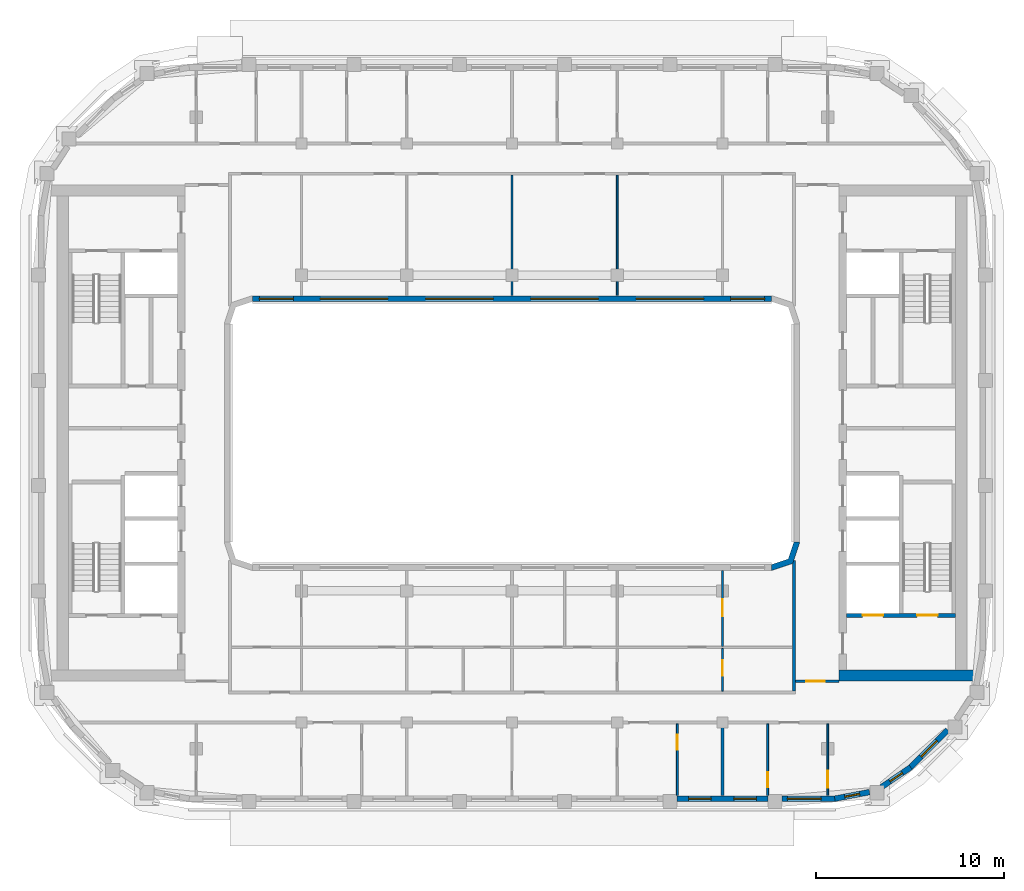
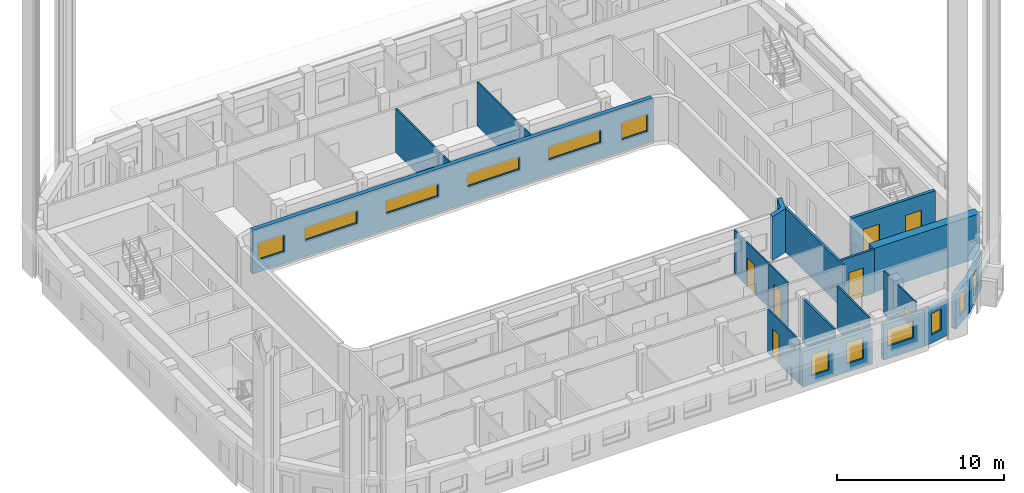
# One storey, part 5 of 15: 19 walls, 12 windows, 8 doors, 20 openings.
"""IFC4 building model written with IfcOpenShell, lengths in metres."""

from ifc_helpers import new_model, si_unit, direction, frame, frame_2d, origin, place, context, subcontext, project, spatial, polyline, rectangle, outline, extrude, material, layer, layer_set, type_object, element, fill, save


model = new_model("IFC4")

# Units and contexts
model_context = context("Model", 3, precision=1e-05, world=origin(), true_north=direction((0.0, 1.0)))
body_context = subcontext(model_context, "Body", "Model", "MODEL_VIEW")
ifc_project = project(units=[si_unit("LENGTHUNIT", "METRE"), si_unit("AREAUNIT", "SQUARE_METRE"), si_unit("VOLUMEUNIT", "CUBIC_METRE"), si_unit("PLANEANGLEUNIT", "RADIAN"), si_unit("MASSUNIT", "GRAM", prefix="KILO")], contexts=[model_context])

# Site, building, storey
site_placement = place(None, origin())
site = spatial("IfcSite", under=ifc_project, at=site_placement, CompositionType="ELEMENT")
building_placement = place(site_placement, origin())
building = spatial("IfcBuilding", under=site, at=building_placement, Name="Kiln Ring Residences", CompositionType="ELEMENT")
storey_placement = place(building_placement, frame((0.0, 0.0, 266.199951171875)))
storey = spatial("IfcBuildingStorey", under=building, at=storey_placement, Name="L69", CompositionType="ELEMENT", Elevation=266.199951171875)

# Wall, openings, doors
ifc_material_1 = material(Name="Concrete C40/50", Category="concrete")
ifc_layer_1 = layer(ifc_material_1, 0.199951171875)
ifc_layer_set_1 = layer_set([ifc_layer_1], Name="CORE-WALL-RC200")
wall_type_1 = type_object("IfcWallType", Name="CORE-WALL-RC200", PredefinedType="SHEAR", material=ifc_layer_set_1)
wall_1_placement = place(storey_placement, frame((17.800048828125, -9.699951171875, 0.0), z_axis=(0.0, 0.0, 1.0), x_axis=(1.0, 0.0, 0.0)))
wall_1 = element("IfcWall", 1, at=wall_1_placement, inside=storey, type_object=wall_type_1, Name="Core wall east L69 8", PredefinedType="SHEAR", context=body_context, shape_type="SweptSolid", body=[
    extrude(rectangle(XDim=5.800048828125, YDim=0.199951171875, at=frame_2d((2.89990234375, 0.0))), origin(), (0.0, 0.0, 1.0), 3.199951171875),
])
opening_1_placement = place(wall_1_placement, frame((0.85009765625, 0.0, 0.0)))
opening_1 = element("IfcOpeningElement", 2, at=opening_1_placement, cuts=wall_1, Name="Opening L69-CE01", PredefinedType="OPENING", context=body_context, shape_type="SweptSolid", body=[
    extrude(rectangle(XDim=1.10009765625, YDim=2.10009765625, at=frame_2d((0.550048828125, 1.050048828125))), frame((0.0, 0.10986328125, 0.0), z_axis=(0.0, -1.0, 0.0), x_axis=(1.0, 0.0, 0.0)), (0.0, 0.0, 1.0), 0.219970703125),
])
opening_2_placement = place(wall_1_placement, frame((3.75, 0.0, 0.0)))
opening_2 = element("IfcOpeningElement", 3, at=opening_2_placement, cuts=wall_1, Name="Opening L69-CE11", PredefinedType="OPENING", context=body_context, shape_type="SweptSolid", body=[
    extrude(rectangle(XDim=1.10009765625, YDim=2.10009765625, at=frame_2d((0.550048828125, 1.050048828125))), frame((0.0, 0.10986328125, 0.0), z_axis=(0.0, -1.0, 0.0), x_axis=(1.0, 0.0, 0.0)), (0.0, 0.0, 1.0), 0.219970703125),
])
ifc_material_2 = material(Name="Steel door leaf", Category="steel")
door_type_1 = type_object("IfcDoorType", Name="CORE-DOOR-LD", OperationType="DOUBLE_DOOR_SLIDING", PredefinedType="DOOR", material=ifc_material_2)
door_1_placement = place(opening_1_placement, origin())
door_1 = element("IfcDoor", 4, at=door_1_placement, inside=storey, type_object=door_type_1, Name="LD E-SV L69-CE01", OperationType="DOUBLE_DOOR_SLIDING", OverallHeight=2.10009765625, OverallWidth=1.10009765625, PredefinedType="DOOR", context=body_context, shape_type="SweptSolid", body=[
    extrude(rectangle(XDim=1.10009765625, YDim=2.10009765625, at=frame_2d((0.550048828125, 1.050048828125))), frame((0.0, 0.02490234375, 0.0), z_axis=(0.0, -1.0, 0.0), x_axis=(1.0, 0.0, 0.0)), (0.0, 0.0, 1.0), 0.050048828125),
])
fill(opening_1, door_1)
ifc_material_3 = material(Name="Steel door leaf", Category="steel")
door_type_2 = type_object("IfcDoorType", Name="CORE-DOOR-STAIR", OperationType="SINGLE_SWING_LEFT", PredefinedType="DOOR", material=ifc_material_3)
door_2_placement = place(opening_2_placement, origin())
door_2 = element("IfcDoor", 5, at=door_2_placement, inside=storey, type_object=door_type_2, Name="Stair E-STS L69-CE11", OperationType="SINGLE_SWING_LEFT", OverallHeight=2.10009765625, OverallWidth=1.10009765625, PredefinedType="DOOR", context=body_context, shape_type="SweptSolid", body=[
    extrude(rectangle(XDim=1.10009765625, YDim=2.10009765625, at=frame_2d((0.550048828125, 1.050048828125))), frame((0.0, 0.02490234375, 0.0), z_axis=(0.0, -1.0, 0.0), x_axis=(1.0, 0.0, 0.0)), (0.0, 0.0, 1.0), 0.050048828125),
])
fill(opening_2, door_2)

# Wall
ifc_material_4 = material(Name="Concrete C60/75", Category="concrete")
ifc_layer_2 = layer(ifc_material_4, 0.60009765625)
ifc_layer_set_2 = layer_set([ifc_layer_2], Name="CORE-WALL-RC600")
wall_type_2 = type_object("IfcWallType", Name="CORE-WALL-RC600", PredefinedType="SHEAR", material=ifc_layer_set_2)
wall_2_placement = place(storey_placement, frame((17.39990234375, -12.89990234375, 0.0), z_axis=(0.0, 0.0, 1.0), x_axis=(1.0, 0.0, 0.0)))
element("IfcWall", 6, at=wall_2_placement, inside=storey, type_object=wall_type_2, Name="Core wall east L69 5", PredefinedType="SHEAR", context=body_context, shape_type="SweptSolid", body=[
    extrude(rectangle(XDim=7.320068359375, YDim=0.60009765625, at=frame_2d((3.66015625, 0.0))), origin(), (0.0, 0.0, 1.0), 3.199951171875),
])

# Wall, openings, windows
ifc_material_5 = material(Name="Brick masonry, dark clay brick", Category="masonry")
ifc_layer_3 = layer(ifc_material_5, 0.300048828125)
ifc_layer_set_3 = layer_set([ifc_layer_3], Name="EW-300 BRICK WALL")
wall_type_3 = type_object("IfcWallType", Name="EW-300 BRICK WALL", PredefinedType="SOLIDWALL", material=ifc_layer_set_3)
wall_3_placement = place(storey_placement, frame((8.77490234375, -19.449951171875, 0.0), z_axis=(0.0, 0.0, 1.0), x_axis=(1.0, 0.0, 0.0)))
wall_3 = element("IfcWall", 7, at=wall_3_placement, inside=storey, type_object=wall_type_3, Name="Facade wall L69 9", PredefinedType="SOLIDWALL", context=body_context, shape_type="SweptSolid", body=[
    extrude(rectangle(XDim=4.85009765625, YDim=0.300048828125, at=frame_2d((2.425048828125, 0.0))), origin(), (0.0, 0.0, 1.0), 2.550048828125),
])
opening_3_placement = place(wall_3_placement, frame((0.625, 0.0, 0.60009765625)))
opening_3 = element("IfcOpeningElement", 8, at=opening_3_placement, cuts=wall_3, Name="Opening W1", PredefinedType="OPENING", context=body_context, shape_type="SweptSolid", body=[
    extrude(rectangle(XDim=1.199951171875, YDim=1.550048828125, at=frame_2d((0.60009765625, 0.77490234375))), frame((0.0, 0.159912109375, 0.0), z_axis=(0.0, -1.0, 0.0), x_axis=(1.0, 0.0, 0.0)), (0.0, 0.0, 1.0), 0.320068359375),
])
opening_4_placement = place(wall_3_placement, frame((3.02490234375, 0.0, 0.60009765625)))
opening_4 = element("IfcOpeningElement", 9, at=opening_4_placement, cuts=wall_3, Name="Opening W1", PredefinedType="OPENING", context=body_context, shape_type="SweptSolid", body=[
    extrude(rectangle(XDim=1.199951171875, YDim=1.550048828125, at=frame_2d((0.60009765625, 0.77490234375))), frame((0.0, 0.159912109375, 0.0), z_axis=(0.0, -1.0, 0.0), x_axis=(1.0, 0.0, 0.0)), (0.0, 0.0, 1.0), 0.320068359375),
])
ifc_material_6 = material(Name="Aluminium frame with double glazing", Category="aluminium")
window_type_1 = type_object("IfcWindowType", Name="WINDOW 1200 x 1550", PartitioningType="SINGLE_PANEL", PredefinedType="WINDOW", material=ifc_material_6)
window_1_placement = place(opening_3_placement, origin())
window_1 = element("IfcWindow", 10, at=window_1_placement, inside=storey, type_object=window_type_1, Name="Window L69 12", OverallHeight=1.550048828125, OverallWidth=1.199951171875, PartitioningType="SINGLE_PANEL", PredefinedType="WINDOW", context=body_context, shape_type="SweptSolid", body=[
    extrude(rectangle(XDim=1.199951171875, YDim=1.550048828125, at=frame_2d((0.60009765625, 0.77490234375))), frame((0.0, 0.030029296875, 0.0), z_axis=(0.0, -1.0, 0.0), x_axis=(1.0, 0.0, 0.0)), (0.0, 0.0, 1.0), 0.06005859375),
])
fill(opening_3, window_1)
window_2_placement = place(opening_4_placement, origin())
window_2 = element("IfcWindow", 11, at=window_2_placement, inside=storey, type_object=window_type_1, Name="Window L69 13", OverallHeight=1.550048828125, OverallWidth=1.199951171875, PartitioningType="SINGLE_PANEL", PredefinedType="WINDOW", context=body_context, shape_type="SweptSolid", body=[
    extrude(rectangle(XDim=1.199951171875, YDim=1.550048828125, at=frame_2d((0.60009765625, 0.77490234375))), frame((0.0, 0.030029296875, 0.0), z_axis=(0.0, -1.0, 0.0), x_axis=(1.0, 0.0, 0.0)), (0.0, 0.0, 1.0), 0.06005859375),
])
fill(opening_4, window_2)

# Wall, opening, window
wall_4_placement = place(storey_placement, frame((14.375, -19.449951171875, 0.0), z_axis=(0.0, 0.0, 1.0), x_axis=(1.0, 0.0, 0.0)))
wall_4 = element("IfcWall", 12, at=wall_4_placement, inside=storey, type_object=wall_type_3, Name="Facade wall L69 10", PredefinedType="SOLIDWALL", context=body_context, shape_type="SweptSolid", body=[
    extrude(rectangle(XDim=2.824951171875, YDim=0.300048828125, at=frame_2d((1.41259765625, 0.0))), origin(), (0.0, 0.0, 1.0), 2.550048828125),
])
opening_5_placement = place(wall_4_placement, frame((0.27490234375, 0.0, 0.89990234375)))
opening_5 = element("IfcOpeningElement", 13, at=opening_5_placement, cuts=wall_4, Name="Opening W2", PredefinedType="OPENING", context=body_context, shape_type="SweptSolid", body=[
    extrude(rectangle(XDim=1.800048828125, YDim=1.25, at=frame_2d((0.89990234375, 0.625))), frame((0.0, 0.159912109375, 0.0), z_axis=(0.0, -1.0, 0.0), x_axis=(1.0, 0.0, 0.0)), (0.0, 0.0, 1.0), 0.320068359375),
])
ifc_material_7 = material(Name="Aluminium frame with double glazing", Category="aluminium")
window_type_2 = type_object("IfcWindowType", Name="WINDOW 1800 x 1250", PartitioningType="SINGLE_PANEL", PredefinedType="WINDOW", material=ifc_material_7)
window_3_placement = place(opening_5_placement, origin())
window_3 = element("IfcWindow", 14, at=window_3_placement, inside=storey, type_object=window_type_2, Name="Window L69 14", OverallHeight=1.25, OverallWidth=1.800048828125, PartitioningType="SINGLE_PANEL", PredefinedType="WINDOW", context=body_context, shape_type="SweptSolid", body=[
    extrude(rectangle(XDim=1.800048828125, YDim=1.25, at=frame_2d((0.89990234375, 0.625))), frame((0.0, 0.030029296875, 0.0), z_axis=(0.0, -1.0, 0.0), x_axis=(1.0, 0.0, 0.0)), (0.0, 0.0, 1.0), 0.06005859375),
])
fill(opening_5, window_3)

wall_5_placement = place(storey_placement, frame((17.171875, -19.45263671875, 0.0), z_axis=(0.0, 0.0, 1.0), x_axis=(0.982284001233, 0.187398348234, 0.0)))
wall_5 = element("IfcWall", 15, at=wall_5_placement, inside=storey, type_object=wall_type_3, Name="Facade wall L69 11", PredefinedType="SOLIDWALL", context=body_context, shape_type="SweptSolid", body=[
    extrude(rectangle(XDim=1.88134765625, YDim=0.300048828125, at=frame_2d((0.940673828125, 0.0))), origin(), (0.0, 0.0, 1.0), 2.550048828125),
])
opening_6_placement = place(wall_5_placement, frame((0.54052734375, 0.0, 0.60009765625)))
opening_6 = element("IfcOpeningElement", 16, at=opening_6_placement, cuts=wall_5, Name="Opening W5", PredefinedType="OPENING", context=body_context, shape_type="SweptSolid", body=[
    extrude(rectangle(XDim=0.800048828125, YDim=1.550048828125, at=frame_2d((0.39990234375, 0.77490234375))), frame((0.0, 0.159912109375, 0.0), z_axis=(0.0, -1.0, 0.0), x_axis=(1.0, 0.0, 0.0)), (0.0, 0.0, 1.0), 0.320068359375),
])
ifc_material_8 = material(Name="Aluminium frame with double glazing", Category="aluminium")
window_type_3 = type_object("IfcWindowType", Name="WINDOW 800 x 1550", PartitioningType="SINGLE_PANEL", PredefinedType="WINDOW", material=ifc_material_8)
window_4_placement = place(opening_6_placement, origin())
window_4 = element("IfcWindow", 17, at=window_4_placement, inside=storey, type_object=window_type_3, Name="Window L69 15", OverallHeight=1.550048828125, OverallWidth=0.800048828125, PartitioningType="SINGLE_PANEL", PredefinedType="WINDOW", context=body_context, shape_type="SweptSolid", body=[
    extrude(rectangle(XDim=0.800048828125, YDim=1.550048828125, at=frame_2d((0.39990234375, 0.77490234375))), frame((0.0, 0.030029296875, 0.0), z_axis=(0.0, -1.0, 0.0), x_axis=(1.0, 0.0, 0.0)), (0.0, 0.0, 1.0), 0.06005859375),
])
fill(opening_6, window_4)

wall_6_placement = place(storey_placement, frame((19.656982421875, -18.836181640625, 0.0), z_axis=(0.0, 0.0, 1.0), x_axis=(0.82704477487, 0.562136051469, 0.0)))
wall_6 = element("IfcWall", 18, at=wall_6_placement, inside=storey, type_object=wall_type_3, Name="Facade wall L69 12", PredefinedType="SOLIDWALL", context=body_context, shape_type="SweptSolid", body=[
    extrude(rectangle(XDim=1.881103515625, YDim=0.300048828125, at=frame_2d((0.9404296875, 0.0))), origin(), (0.0, 0.0, 1.0), 2.550048828125),
])
opening_7_placement = place(wall_6_placement, frame((0.54052734375, 0.0, 0.60009765625)))
opening_7 = element("IfcOpeningElement", 19, at=opening_7_placement, cuts=wall_6, Name="Opening W5", PredefinedType="OPENING", context=body_context, shape_type="SweptSolid", body=[
    extrude(rectangle(XDim=0.800048828125, YDim=1.550048828125, at=frame_2d((0.39990234375, 0.77490234375))), frame((0.0, 0.159912109375, 0.0), z_axis=(0.0, -1.0, 0.0), x_axis=(1.0, 0.0, 0.0)), (0.0, 0.0, 1.0), 0.320068359375),
])
window_5_placement = place(opening_7_placement, origin())
window_5 = element("IfcWindow", 20, at=window_5_placement, inside=storey, type_object=window_type_3, Name="Window L69 16", OverallHeight=1.550048828125, OverallWidth=0.800048828125, PartitioningType="SINGLE_PANEL", PredefinedType="WINDOW", context=body_context, shape_type="SweptSolid", body=[
    extrude(rectangle(XDim=0.800048828125, YDim=1.550048828125, at=frame_2d((0.39990234375, 0.77490234375))), frame((0.0, 0.030029296875, 0.0), z_axis=(0.0, -1.0, 0.0), x_axis=(1.0, 0.0, 0.0)), (0.0, 0.0, 1.0), 0.06005859375),
])
fill(opening_7, window_5)

wall_7_placement = place(storey_placement, frame((21.19091796875, -17.796875, 0.0), z_axis=(0.0, 0.0, 1.0), x_axis=(0.707106781187, 0.707106781187, 0.0)))
wall_7 = element("IfcWall", 21, at=wall_7_placement, inside=storey, type_object=wall_type_3, Name="Facade wall L69 13", PredefinedType="SOLIDWALL", context=body_context, shape_type="SweptSolid", body=[
    extrude(rectangle(XDim=2.824951171875, YDim=0.300048828125, at=frame_2d((1.41259765625, 0.0))), origin(), (0.0, 0.0, 1.0), 2.550048828125),
])
opening_8_placement = place(wall_7_placement, frame((0.8125, 0.0, 0.60009765625)))
opening_8 = element("IfcOpeningElement", 22, at=opening_8_placement, cuts=wall_7, Name="Opening W1", PredefinedType="OPENING", context=body_context, shape_type="SweptSolid", body=[
    extrude(rectangle(XDim=1.199951171875, YDim=1.550048828125, at=frame_2d((0.60009765625, 0.77490234375))), frame((0.0, 0.159912109375, 0.0), z_axis=(0.0, -1.0, 0.0), x_axis=(1.0, 0.0, 0.0)), (0.0, 0.0, 1.0), 0.320068359375),
])
window_6_placement = place(opening_8_placement, origin())
window_6 = element("IfcWindow", 23, at=window_6_placement, inside=storey, type_object=window_type_1, Name="Window L69 17", OverallHeight=1.550048828125, OverallWidth=1.199951171875, PartitioningType="SINGLE_PANEL", PredefinedType="WINDOW", context=body_context, shape_type="SweptSolid", body=[
    extrude(rectangle(XDim=1.199951171875, YDim=1.550048828125, at=frame_2d((0.60009765625, 0.77490234375))), frame((0.0, 0.030029296875, 0.0), z_axis=(0.0, -1.0, 0.0), x_axis=(1.0, 0.0, 0.0)), (0.0, 0.0, 1.0), 0.06005859375),
])
fill(opening_8, window_6)

# Wall, openings, windows
wall_8_placement = place(storey_placement, frame((-13.800048828125, 7.14990234375, 0.0), z_axis=(0.0, 0.0, 1.0), x_axis=(1.0, 0.0, 0.0)))
wall_8 = element("IfcWall", 24, at=wall_8_placement, inside=storey, type_object=wall_type_3, Name="Facade wall L69 46", PredefinedType="SOLIDWALL", context=body_context, shape_type="SweptSolid", body=[
    extrude(rectangle(XDim=27.60009765625, YDim=0.300048828125, at=frame_2d((13.800048828125, 0.0))), origin(), (0.0, 0.0, 1.0), 3.199951171875),
])
opening_9_placement = place(wall_8_placement, frame((0.362548828125, 0.0, 0.89990234375)))
opening_9 = element("IfcOpeningElement", 25, at=opening_9_placement, cuts=wall_8, Name="Opening W2", PredefinedType="OPENING", context=body_context, shape_type="SweptSolid", body=[
    extrude(rectangle(XDim=1.800048828125, YDim=1.25, at=frame_2d((0.89990234375, 0.625))), frame((0.0, 0.159912109375, 0.0), z_axis=(0.0, -1.0, 0.0), x_axis=(1.0, 0.0, 0.0)), (0.0, 0.0, 1.0), 0.320068359375),
])
opening_10_placement = place(wall_8_placement, frame((3.60009765625, 0.0, 1.199951171875)))
opening_10 = element("IfcOpeningElement", 26, at=opening_10_placement, cuts=wall_8, Name="Opening W4", PredefinedType="OPENING", context=body_context, shape_type="SweptSolid", body=[
    extrude(rectangle(XDim=3.60009765625, YDim=0.949951171875, at=frame_2d((1.800048828125, 0.47509765625))), frame((0.0, 0.159912109375, 0.0), z_axis=(0.0, -1.0, 0.0), x_axis=(1.0, 0.0, 0.0)), (0.0, 0.0, 1.0), 0.320068359375),
])
opening_11_placement = place(wall_8_placement, frame((9.199951171875, 0.0, 1.199951171875)))
opening_11 = element("IfcOpeningElement", 27, at=opening_11_placement, cuts=wall_8, Name="Opening W4", PredefinedType="OPENING", context=body_context, shape_type="SweptSolid", body=[
    extrude(rectangle(XDim=3.60009765625, YDim=0.949951171875, at=frame_2d((1.800048828125, 0.47509765625))), frame((0.0, 0.159912109375, 0.0), z_axis=(0.0, -1.0, 0.0), x_axis=(1.0, 0.0, 0.0)), (0.0, 0.0, 1.0), 0.320068359375),
])
opening_12_placement = place(wall_8_placement, frame((14.800048828125, 0.0, 1.199951171875)))
opening_12 = element("IfcOpeningElement", 28, at=opening_12_placement, cuts=wall_8, Name="Opening W4", PredefinedType="OPENING", context=body_context, shape_type="SweptSolid", body=[
    extrude(rectangle(XDim=3.60009765625, YDim=0.949951171875, at=frame_2d((1.800048828125, 0.47509765625))), frame((0.0, 0.159912109375, 0.0), z_axis=(0.0, -1.0, 0.0), x_axis=(1.0, 0.0, 0.0)), (0.0, 0.0, 1.0), 0.320068359375),
])
opening_13_placement = place(wall_8_placement, frame((20.39990234375, 0.0, 1.199951171875)))
opening_13 = element("IfcOpeningElement", 29, at=opening_13_placement, cuts=wall_8, Name="Opening W4", PredefinedType="OPENING", context=body_context, shape_type="SweptSolid", body=[
    extrude(rectangle(XDim=3.60009765625, YDim=0.949951171875, at=frame_2d((1.800048828125, 0.47509765625))), frame((0.0, 0.159912109375, 0.0), z_axis=(0.0, -1.0, 0.0), x_axis=(1.0, 0.0, 0.0)), (0.0, 0.0, 1.0), 0.320068359375),
])
opening_14_placement = place(wall_8_placement, frame((25.4375, 0.0, 0.89990234375)))
opening_14 = element("IfcOpeningElement", 30, at=opening_14_placement, cuts=wall_8, Name="Opening W2", PredefinedType="OPENING", context=body_context, shape_type="SweptSolid", body=[
    extrude(rectangle(XDim=1.800048828125, YDim=1.25, at=frame_2d((0.89990234375, 0.625))), frame((0.0, 0.159912109375, 0.0), z_axis=(0.0, -1.0, 0.0), x_axis=(1.0, 0.0, 0.0)), (0.0, 0.0, 1.0), 0.320068359375),
])
window_7_placement = place(opening_9_placement, origin())
window_7 = element("IfcWindow", 31, at=window_7_placement, inside=storey, type_object=window_type_2, Name="Window L69 37", OverallHeight=1.25, OverallWidth=1.800048828125, PartitioningType="SINGLE_PANEL", PredefinedType="WINDOW", context=body_context, shape_type="SweptSolid", body=[
    extrude(rectangle(XDim=1.800048828125, YDim=1.25, at=frame_2d((0.89990234375, 0.625))), frame((0.0, 0.030029296875, 0.0), z_axis=(0.0, -1.0, 0.0), x_axis=(1.0, 0.0, 0.0)), (0.0, 0.0, 1.0), 0.06005859375),
])
fill(opening_9, window_7)
window_8_placement = place(opening_14_placement, origin())
window_8 = element("IfcWindow", 32, at=window_8_placement, inside=storey, type_object=window_type_2, Name="Window L69 42", OverallHeight=1.25, OverallWidth=1.800048828125, PartitioningType="SINGLE_PANEL", PredefinedType="WINDOW", context=body_context, shape_type="SweptSolid", body=[
    extrude(rectangle(XDim=1.800048828125, YDim=1.25, at=frame_2d((0.89990234375, 0.625))), frame((0.0, 0.030029296875, 0.0), z_axis=(0.0, -1.0, 0.0), x_axis=(1.0, 0.0, 0.0)), (0.0, 0.0, 1.0), 0.06005859375),
])
fill(opening_14, window_8)
ifc_material_9 = material(Name="Aluminium frame with double glazing", Category="aluminium")
window_type_4 = type_object("IfcWindowType", Name="WINDOW 3600 x 950", PartitioningType="SINGLE_PANEL", PredefinedType="WINDOW", material=ifc_material_9)
window_9_placement = place(opening_10_placement, origin())
window_9 = element("IfcWindow", 33, at=window_9_placement, inside=storey, type_object=window_type_4, Name="Window L69 38", OverallHeight=0.949951171875, OverallWidth=3.60009765625, PartitioningType="SINGLE_PANEL", PredefinedType="WINDOW", context=body_context, shape_type="SweptSolid", body=[
    extrude(rectangle(XDim=3.60009765625, YDim=0.949951171875, at=frame_2d((1.800048828125, 0.47509765625))), frame((0.0, 0.030029296875, 0.0), z_axis=(0.0, -1.0, 0.0), x_axis=(1.0, 0.0, 0.0)), (0.0, 0.0, 1.0), 0.06005859375),
])
fill(opening_10, window_9)
window_10_placement = place(opening_11_placement, origin())
window_10 = element("IfcWindow", 34, at=window_10_placement, inside=storey, type_object=window_type_4, Name="Window L69 39", OverallHeight=0.949951171875, OverallWidth=3.60009765625, PartitioningType="SINGLE_PANEL", PredefinedType="WINDOW", context=body_context, shape_type="SweptSolid", body=[
    extrude(rectangle(XDim=3.60009765625, YDim=0.949951171875, at=frame_2d((1.800048828125, 0.47509765625))), frame((0.0, 0.030029296875, 0.0), z_axis=(0.0, -1.0, 0.0), x_axis=(1.0, 0.0, 0.0)), (0.0, 0.0, 1.0), 0.06005859375),
])
fill(opening_11, window_10)
window_11_placement = place(opening_12_placement, origin())
window_11 = element("IfcWindow", 35, at=window_11_placement, inside=storey, type_object=window_type_4, Name="Window L69 40", OverallHeight=0.949951171875, OverallWidth=3.60009765625, PartitioningType="SINGLE_PANEL", PredefinedType="WINDOW", context=body_context, shape_type="SweptSolid", body=[
    extrude(rectangle(XDim=3.60009765625, YDim=0.949951171875, at=frame_2d((1.800048828125, 0.47509765625))), frame((0.0, 0.030029296875, 0.0), z_axis=(0.0, -1.0, 0.0), x_axis=(1.0, 0.0, 0.0)), (0.0, 0.0, 1.0), 0.06005859375),
])
fill(opening_12, window_11)
window_12_placement = place(opening_13_placement, origin())
window_12 = element("IfcWindow", 36, at=window_12_placement, inside=storey, type_object=window_type_4, Name="Window L69 41", OverallHeight=0.949951171875, OverallWidth=3.60009765625, PartitioningType="SINGLE_PANEL", PredefinedType="WINDOW", context=body_context, shape_type="SweptSolid", body=[
    extrude(rectangle(XDim=3.60009765625, YDim=0.949951171875, at=frame_2d((1.800048828125, 0.47509765625))), frame((0.0, 0.030029296875, 0.0), z_axis=(0.0, -1.0, 0.0), x_axis=(1.0, 0.0, 0.0)), (0.0, 0.0, 1.0), 0.06005859375),
])
fill(opening_13, window_12)

# Walls
wall_9_placement = place(storey_placement, origin())
element("IfcWall", 37, at=wall_9_placement, inside=storey, type_object=wall_type_3, Name="Corner wall L69 3", PredefinedType="SOLIDWALL", context=body_context, shape_type="SweptSolid", body=[
    extrude(outline(polyline([(14.937255859375, -6.937255859375), (15.300048828125, -5.8486328125), (15.300048828125, -5.800048828125), (15.0, -5.800048828125), (14.699951171875, -6.699951171875), (13.800048828125, -7.0), (13.800048828125, -7.300048828125), (13.8486328125, -7.300048828125), (14.937255859375, -6.937255859375)])), origin(), (0.0, 0.0, 1.0), 3.199951171875),
])
ifc_material_10 = material(Name="Gypsum board on steel studs", Category="steel")
ifc_layer_4 = layer(ifc_material_10, 0.10009765625)
ifc_layer_set_4 = layer_set([ifc_layer_4], Name="PARTITION-100")
wall_type_4 = type_object("IfcWallType", Name="PARTITION-100", PredefinedType="PARTITIONING", material=ifc_layer_set_4)
for number, where, z_axis, x_axis, name in (
    (38, (0.0, 7.320068359375, 0.0), (0.0, 0.0, 1.0), (0.0, 1.0, 0.0), "Partition 028"),
    (39, (5.60009765625, 7.320068359375, 0.0), (0.0, 0.0, 1.0), (0.0, 1.0, 0.0), "Partition 037"),
):
    element("IfcWall", number, at=place(storey_placement, frame(where, z_axis=z_axis, x_axis=x_axis)), inside=storey, type_object=wall_type_4, Name=name, PredefinedType="PARTITIONING", context=body_context, shape_type="SweptSolid", body=[
        extrude(rectangle(XDim=6.405029296875, YDim=0.10009765625, at=frame_2d((3.20263671875, 0.0))), origin(), (0.0, 0.0, 1.0), 3.199951171875),
    ])

# Wall, opening, door
wall_10_placement = place(storey_placement, frame((8.800048828125, -19.280029296875, 0.0), z_axis=(0.0, 0.0, 1.0), x_axis=(0.0, 1.0, 0.0)))
wall_10 = element("IfcWall", 40, at=wall_10_placement, inside=storey, type_object=wall_type_4, Name="Partition 039", PredefinedType="PARTITIONING", context=body_context, shape_type="SweptSolid", body=[
    extrude(rectangle(XDim=3.804931640625, YDim=0.10009765625, at=frame_2d((1.90234375, 0.0))), origin(), (0.0, 0.0, 1.0), 3.199951171875),
])
opening_15_placement = place(wall_10_placement, frame((2.419921875, 0.0, 0.0)))
opening_15 = element("IfcOpeningElement", 41, at=opening_15_placement, cuts=wall_10, Name="Opening L69-D042", PredefinedType="OPENING", context=body_context, shape_type="SweptSolid", body=[
    extrude(rectangle(XDim=0.800048828125, YDim=2.10009765625, at=frame_2d((0.39990234375, 1.050048828125))), frame((0.0, 0.06005859375, 0.0), z_axis=(0.0, -1.0, 0.0), x_axis=(1.0, 0.0, 0.0)), (0.0, 0.0, 1.0), 0.1201171875),
])
ifc_material_11 = material(Name="Timber door leaf", Category="wood")
door_type_3 = type_object("IfcDoorType", Name="FLAT-DOOR-800-PL", OperationType="SINGLE_SWING_LEFT", PredefinedType="DOOR", material=ifc_material_11)
door_3_placement = place(opening_15_placement, origin())
door_3 = element("IfcDoor", 42, at=door_3_placement, inside=storey, type_object=door_type_3, Name="Door L69-D042", OperationType="SINGLE_SWING_RIGHT", OverallHeight=2.10009765625, OverallWidth=0.800048828125, PredefinedType="DOOR", context=body_context, shape_type="SweptSolid", body=[
    extrude(rectangle(XDim=0.800048828125, YDim=2.10009765625, at=frame_2d((0.39990234375, 1.050048828125))), frame((0.0, 0.02490234375, 0.0), z_axis=(0.0, -1.0, 0.0), x_axis=(1.0, 0.0, 0.0)), (0.0, 0.0, 1.0), 0.050048828125),
])
fill(opening_15, door_3)

wall_11_placement = place(storey_placement, frame((11.199951171875, -13.72509765625, 0.0), z_axis=(0.0, 0.0, 1.0), x_axis=(0.0, 1.0, 0.0)))
wall_11 = element("IfcWall", 43, at=wall_11_placement, inside=storey, type_object=wall_type_4, Name="Partition 040", PredefinedType="PARTITIONING", context=body_context, shape_type="SweptSolid", body=[
    extrude(rectangle(XDim=2.275146484375, YDim=0.10009765625, at=frame_2d((1.1376953125, 0.0))), origin(), (0.0, 0.0, 1.0), 3.199951171875),
])
opening_16_placement = place(wall_11_placement, frame((0.825927734375, 0.0, 0.0)))
opening_16 = element("IfcOpeningElement", 44, at=opening_16_placement, cuts=wall_11, Name="Opening L69-D032", PredefinedType="OPENING", context=body_context, shape_type="SweptSolid", body=[
    extrude(rectangle(XDim=0.800048828125, YDim=2.10009765625, at=frame_2d((0.39990234375, 1.050048828125))), frame((0.0, 0.06005859375, 0.0), z_axis=(0.0, -1.0, 0.0), x_axis=(1.0, 0.0, 0.0)), (0.0, 0.0, 1.0), 0.1201171875),
])
door_4_placement = place(opening_16_placement, origin())
door_4 = element("IfcDoor", 45, at=door_4_placement, inside=storey, type_object=door_type_3, Name="Door L69-D032", OperationType="SINGLE_SWING_RIGHT", OverallHeight=2.10009765625, OverallWidth=0.800048828125, PredefinedType="DOOR", context=body_context, shape_type="SweptSolid", body=[
    extrude(rectangle(XDim=0.800048828125, YDim=2.10009765625, at=frame_2d((0.39990234375, 1.050048828125))), frame((0.0, 0.02490234375, 0.0), z_axis=(0.0, -1.0, 0.0), x_axis=(1.0, 0.0, 0.0)), (0.0, 0.0, 1.0), 0.050048828125),
])
fill(opening_16, door_4)

wall_12_placement = place(storey_placement, frame((11.199951171875, -11.35009765625, 0.0), z_axis=(0.0, 0.0, 1.0), x_axis=(0.0, 1.0, 0.0)))
wall_12 = element("IfcWall", 46, at=wall_12_placement, inside=storey, type_object=wall_type_4, Name="Partition 041", PredefinedType="PARTITIONING", context=body_context, shape_type="SweptSolid", body=[
    extrude(rectangle(XDim=4.030029296875, YDim=0.10009765625, at=frame_2d((2.01513671875, 0.0))), origin(), (0.0, 0.0, 1.0), 3.199951171875),
])
opening_17_placement = place(wall_12_placement, frame((1.60009765625, 0.0, 0.0)))
opening_17 = element("IfcOpeningElement", 47, at=opening_17_placement, cuts=wall_12, Name="Opening L69-D036", PredefinedType="OPENING", context=body_context, shape_type="SweptSolid", body=[
    extrude(rectangle(XDim=0.89990234375, YDim=2.10009765625, at=frame_2d((0.449951171875, 1.050048828125))), frame((0.0, 0.06005859375, 0.0), z_axis=(0.0, -1.0, 0.0), x_axis=(1.0, 0.0, 0.0)), (0.0, 0.0, 1.0), 0.1201171875),
])
ifc_material_12 = material(Name="Timber door leaf", Category="wood")
door_type_4 = type_object("IfcDoorType", Name="FLAT-DOOR-900-PL", OperationType="SINGLE_SWING_LEFT", PredefinedType="DOOR", material=ifc_material_12)
door_5_placement = place(opening_17_placement, origin())
door_5 = element("IfcDoor", 48, at=door_5_placement, inside=storey, type_object=door_type_4, Name="Door L69-D036", OperationType="SINGLE_SWING_RIGHT", OverallHeight=2.10009765625, OverallWidth=0.89990234375, PredefinedType="DOOR", context=body_context, shape_type="SweptSolid", body=[
    extrude(rectangle(XDim=0.89990234375, YDim=2.10009765625, at=frame_2d((0.449951171875, 1.050048828125))), frame((0.0, 0.02490234375, 0.0), z_axis=(0.0, -1.0, 0.0), x_axis=(1.0, 0.0, 0.0)), (0.0, 0.0, 1.0), 0.050048828125),
])
fill(opening_17, door_5)

wall_13_placement = place(storey_placement, frame((13.60009765625, -19.280029296875, 0.0), z_axis=(0.0, 0.0, 1.0), x_axis=(0.0, 1.0, 0.0)))
wall_13 = element("IfcWall", 49, at=wall_13_placement, inside=storey, type_object=wall_type_4, Name="Partition 045", PredefinedType="PARTITIONING", context=body_context, shape_type="SweptSolid", body=[
    extrude(rectangle(XDim=3.804931640625, YDim=0.10009765625, at=frame_2d((1.90234375, 0.0))), origin(), (0.0, 0.0, 1.0), 3.199951171875),
])
opening_18_placement = place(wall_13_placement, frame((0.428955078125, 0.0, 0.0)))
opening_18 = element("IfcOpeningElement", 50, at=opening_18_placement, cuts=wall_13, Name="Opening L69-D046", PredefinedType="OPENING", context=body_context, shape_type="SweptSolid", body=[
    extrude(rectangle(XDim=0.800048828125, YDim=2.10009765625, at=frame_2d((0.39990234375, 1.050048828125))), frame((0.0, 0.06005859375, 0.0), z_axis=(0.0, -1.0, 0.0), x_axis=(1.0, 0.0, 0.0)), (0.0, 0.0, 1.0), 0.1201171875),
])
door_6_placement = place(opening_18_placement, origin())
door_6 = element("IfcDoor", 51, at=door_6_placement, inside=storey, type_object=door_type_3, Name="Door L69-D046", OperationType="SINGLE_SWING_RIGHT", OverallHeight=2.10009765625, OverallWidth=0.800048828125, PredefinedType="DOOR", context=body_context, shape_type="SweptSolid", body=[
    extrude(rectangle(XDim=0.800048828125, YDim=2.10009765625, at=frame_2d((0.39990234375, 1.050048828125))), frame((0.0, 0.02490234375, 0.0), z_axis=(0.0, -1.0, 0.0), x_axis=(1.0, 0.0, 0.0)), (0.0, 0.0, 1.0), 0.050048828125),
])
fill(opening_18, door_6)

wall_14_placement = place(storey_placement, frame((16.800048828125, -19.280029296875, 0.0), z_axis=(0.0, 0.0, 1.0), x_axis=(0.0, 1.0, 0.0)))
wall_14 = element("IfcWall", 52, at=wall_14_placement, inside=storey, type_object=wall_type_4, Name="Partition 049", PredefinedType="PARTITIONING", context=body_context, shape_type="SweptSolid", body=[
    extrude(rectangle(XDim=3.804931640625, YDim=0.10009765625, at=frame_2d((1.90234375, 0.0))), origin(), (0.0, 0.0, 1.0), 3.199951171875),
])
opening_19_placement = place(wall_14_placement, frame((0.419921875, 0.0, 0.0)))
opening_19 = element("IfcOpeningElement", 53, at=opening_19_placement, cuts=wall_14, Name="Opening L69-D047", PredefinedType="OPENING", context=body_context, shape_type="SweptSolid", body=[
    extrude(rectangle(XDim=0.89990234375, YDim=2.10009765625, at=frame_2d((0.449951171875, 1.050048828125))), frame((0.0, 0.06005859375, 0.0), z_axis=(0.0, -1.0, 0.0), x_axis=(1.0, 0.0, 0.0)), (0.0, 0.0, 1.0), 0.1201171875),
])
door_7_placement = place(opening_19_placement, origin())
door_7 = element("IfcDoor", 54, at=door_7_placement, inside=storey, type_object=door_type_4, Name="Door L69-D047", OperationType="SINGLE_SWING_LEFT", OverallHeight=2.10009765625, OverallWidth=0.89990234375, PredefinedType="DOOR", context=body_context, shape_type="SweptSolid", body=[
    extrude(rectangle(XDim=0.89990234375, YDim=2.10009765625, at=frame_2d((0.449951171875, 1.050048828125))), frame((0.0, 0.02490234375, 0.0), z_axis=(0.0, -1.0, 0.0), x_axis=(1.0, 0.0, 0.0)), (0.0, 0.0, 1.0), 0.050048828125),
])
fill(opening_19, door_7)

ifc_material_13 = material(Name="Brick masonry partition", Category="masonry")
ifc_layer_5 = layer(ifc_material_13, 0.14990234375)
ifc_layer_set_5 = layer_set([ifc_layer_5], Name="PARTITION-150-ei60")
wall_type_5 = type_object("IfcWallType", Name="PARTITION-150-ei60", PredefinedType="PARTITIONING", material=ifc_layer_set_5)
wall_15_placement = place(storey_placement, frame((15.074951171875, -13.199951171875, 0.0), z_axis=(0.0, 0.0, 1.0), x_axis=(1.0, 0.0, 0.0)))
wall_15 = element("IfcWall", 55, at=wall_15_placement, inside=storey, type_object=wall_type_5, Name="Partition 003", PredefinedType="PARTITIONING", context=body_context, shape_type="SweptSolid", body=[
    extrude(rectangle(XDim=2.324951171875, YDim=0.14990234375, at=frame_2d((1.16259765625, 0.0))), origin(), (0.0, 0.0, 1.0), 3.199951171875),
])
opening_20_placement = place(wall_15_placement, frame((0.574951171875, 0.0, 0.0)))
opening_20 = element("IfcOpeningElement", 56, at=opening_20_placement, cuts=wall_15, Name="Opening L69-D004", PredefinedType="OPENING", context=body_context, shape_type="SweptSolid", body=[
    extrude(rectangle(XDim=1.0, YDim=2.10009765625, at=frame_2d((0.5, 1.050048828125))), frame((0.0, 0.0849609375, 0.0), z_axis=(0.0, -1.0, 0.0), x_axis=(1.0, 0.0, 0.0)), (0.0, 0.0, 1.0), 0.169921875),
])
ifc_material_14 = material(Name="Steel faced fire door leaf", Category="steel")
door_type_5 = type_object("IfcDoorType", Name="FLAT-DOOR-1000-FR", OperationType="SINGLE_SWING_LEFT", PredefinedType="DOOR", material=ifc_material_14)
door_8_placement = place(opening_20_placement, origin())
door_8 = element("IfcDoor", 57, at=door_8_placement, inside=storey, type_object=door_type_5, Name="Door L69-D004", OperationType="SINGLE_SWING_LEFT", OverallHeight=2.10009765625, OverallWidth=1.0, PredefinedType="DOOR", context=body_context, shape_type="SweptSolid", body=[
    extrude(rectangle(XDim=1.0, YDim=2.10009765625, at=frame_2d((0.5, 1.050048828125))), frame((0.0, 0.02490234375, 0.0), z_axis=(0.0, -1.0, 0.0), x_axis=(1.0, 0.0, 0.0)), (0.0, 0.0, 1.0), 0.050048828125),
])
fill(opening_20, door_8)

# Walls
wall_16_placement = place(storey_placement, frame((11.199951171875, -19.280029296875, 0.0), z_axis=(0.0, 0.0, 1.0), x_axis=(0.0, 1.0, 0.0)))
element("IfcWall", 58, at=wall_16_placement, inside=storey, type_object=wall_type_5, Name="Partition 043", PredefinedType="PARTITIONING", context=body_context, shape_type="SweptSolid", body=[
    extrude(rectangle(XDim=3.804931640625, YDim=0.14990234375, at=frame_2d((1.90234375, 0.0))), origin(), (0.0, 0.0, 1.0), 3.199951171875),
])
wall_17_placement = place(storey_placement, frame((15.0, -13.72509765625, 0.0), z_axis=(0.0, 0.0, 1.0), x_axis=(0.0, 1.0, 0.0)))
element("IfcWall", 59, at=wall_17_placement, inside=storey, type_object=wall_type_5, Name="Partition 047", PredefinedType="PARTITIONING", context=body_context, shape_type="SweptSolid", body=[
    extrude(rectangle(XDim=6.956298828125, YDim=0.14990234375, at=frame_2d((3.47802734375, 0.0))), origin(), (0.0, 0.0, 1.0), 3.199951171875),
])

save(model, "model.ifc")
